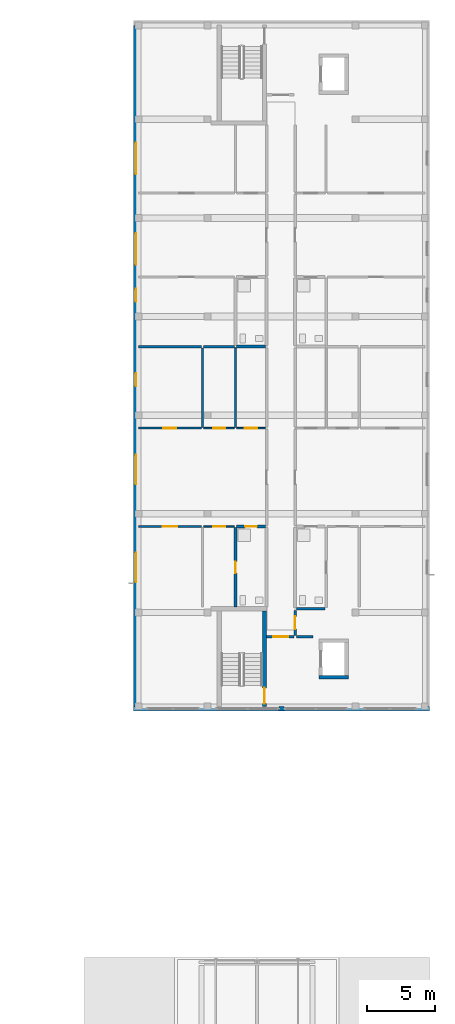
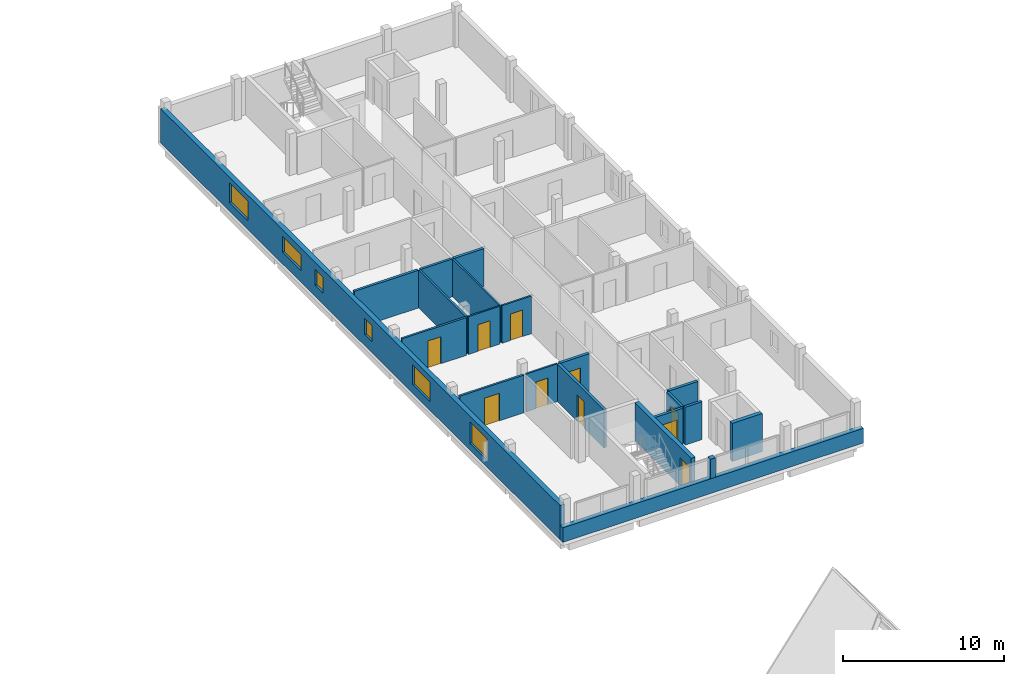
# One storey, part 16 of 29: 21 walls, 10 doors, 6 windows, 16 openings.
"""IFC4 building model written with IfcOpenShell, lengths in metres."""

from ifc_helpers import new_model, si_unit, derived_unit, direction, frame, frame_2d, origin, place, context, subcontext, project, spatial, rectangle, extrude, material, layer, layer_set, type_object, element, fill, save


model = new_model("IFC4")

# Units and contexts
model_context = context("Model", 3, precision=1e-05, world=origin(), true_north=direction((0.0, 1.0)))
body_context = subcontext(model_context, "Body", "Model", "MODEL_VIEW")
ifc_project = project(units=[si_unit("LENGTHUNIT", "METRE"), si_unit("AREAUNIT", "SQUARE_METRE"), si_unit("VOLUMEUNIT", "CUBIC_METRE"), si_unit("PLANEANGLEUNIT", "RADIAN"), si_unit("MASSUNIT", "GRAM", prefix="KILO"), derived_unit("THERMALTRANSMITTANCEUNIT", [(si_unit("MASSUNIT", "GRAM", prefix="KILO"), 1), (si_unit("TIMEUNIT", "SECOND"), -3), (si_unit("THERMODYNAMICTEMPERATUREUNIT", "KELVIN"), -1)])], contexts=[model_context])

# Site, building, storey
site_placement = place(None, origin())
site = spatial("IfcSite", under=ifc_project, at=site_placement, CompositionType="ELEMENT")
building_placement = place(site_placement, origin())
building = spatial("IfcBuilding", under=site, at=building_placement, Name="Ochrekiln Boulevard Commons", CompositionType="ELEMENT")
storey_placement = place(building_placement, frame((0.0, 0.0, 37.27490234375)))
storey = spatial("IfcBuildingStorey", under=building, at=storey_placement, Name="L11", CompositionType="ELEMENT", Elevation=37.27490234375)

# Wall, openings, windows
ifc_material_1 = material(Name="Iron-spot brown clinker brick masonry ASTM C216 Grade SW", Category="masonry")
ifc_layer_1 = layer(ifc_material_1, 0.340087890625)
ifc_layer_set_1 = layer_set([ifc_layer_1], Name="Iron-spot brown clinker brick masonry ASTM C216 Grade SW")
wall_type_1 = type_object("IfcWallType", Name="WL-EXT-IRON-340", PredefinedType="SOLIDWALL", material=ifc_layer_set_1)
wall_1_placement = place(storey_placement, frame((151.3701171875, 68.739990234375, 0.0), z_axis=(0.0, 0.0, 1.0), x_axis=(0.0, 1.0, 0.0)))
wall_1 = element("IfcWall", 1, at=wall_1_placement, inside=storey, type_object=wall_type_1, Name="Block B L11 W Exterior Wall", PredefinedType="SOLIDWALL", context=body_context, shape_type="SweptSolid", body=[
    extrude(rectangle(XDim=49.719970703125, YDim=0.340087890625, at=frame_2d((24.85986328125, 0.0))), origin(), (0.0, 0.0, 1.0), 2.60009765625),
])
opening_1_placement = place(wall_1_placement, frame((16.20703125, 0.0, 0.6650390625)))
opening_1 = element("IfcOpeningElement", 2, at=opening_1_placement, cuts=wall_1, Name="Opening W-53", PredefinedType="OPENING", context=body_context, shape_type="SweptSolid", body=[
    extrude(rectangle(XDim=2.14990234375, YDim=1.5, at=frame_2d((1.074951171875, 0.75))), frame((0.0, 0.179931640625, 0.0), z_axis=(0.0, -1.0, 0.0), x_axis=(1.0, 0.0, 0.0)), (0.0, 0.0, 1.0), 0.360107421875),
])
opening_2_placement = place(wall_1_placement, frame((9.077880859375, 0.0, 0.514892578125)))
opening_2 = element("IfcOpeningElement", 3, at=opening_2_placement, cuts=wall_1, Name="Opening W-54", PredefinedType="OPENING", context=body_context, shape_type="SweptSolid", body=[
    extrude(rectangle(XDim=2.14990234375, YDim=1.64990234375, at=frame_2d((1.074951171875, 0.824951171875))), frame((0.0, 0.179931640625, 0.0), z_axis=(0.0, -1.0, 0.0), x_axis=(1.0, 0.0, 0.0)), (0.0, 0.0, 1.0), 0.360107421875),
])
opening_3_placement = place(wall_1_placement, frame((23.37890625, 0.0, 0.85009765625)))
opening_3 = element("IfcOpeningElement", 4, at=opening_3_placement, cuts=wall_1, Name="Opening W-01", PredefinedType="OPENING", context=body_context, shape_type="SweptSolid", body=[
    extrude(rectangle(XDim=0.949951171875, YDim=1.199951171875, at=frame_2d((0.47509765625, 0.60009765625))), frame((0.0, 0.179931640625, 0.0), z_axis=(0.0, -1.0, 0.0), x_axis=(1.0, 0.0, 0.0)), (0.0, 0.0, 1.0), 0.360107421875),
])
opening_4_placement = place(wall_1_placement, frame((32.260009765625, 0.0, 0.89990234375)))
opening_4 = element("IfcOpeningElement", 5, at=opening_4_placement, cuts=wall_1, Name="Opening W-56", PredefinedType="OPENING", context=body_context, shape_type="SweptSolid", body=[
    extrude(rectangle(XDim=2.300048828125, YDim=1.199951171875, at=frame_2d((1.14990234375, 0.60009765625))), frame((0.0, 0.179931640625, 0.0), z_axis=(0.0, -1.0, 0.0), x_axis=(1.0, 0.0, 0.0)), (0.0, 0.0, 1.0), 0.360107421875),
])
opening_5_placement = place(wall_1_placement, frame((29.52490234375, 0.0, 0.85009765625)))
opening_5 = element("IfcOpeningElement", 6, at=opening_5_placement, cuts=wall_1, Name="Opening W-01", PredefinedType="OPENING", context=body_context, shape_type="SweptSolid", body=[
    extrude(rectangle(XDim=0.949951171875, YDim=1.199951171875, at=frame_2d((0.47509765625, 0.60009765625))), frame((0.0, 0.179931640625, 0.0), z_axis=(0.0, -1.0, 0.0), x_axis=(1.0, 0.0, 0.0)), (0.0, 0.0, 1.0), 0.360107421875),
])
opening_6_placement = place(wall_1_placement, frame((38.85400390625, 0.0, 0.6650390625)))
opening_6 = element("IfcOpeningElement", 7, at=opening_6_placement, cuts=wall_1, Name="Opening W-58", PredefinedType="OPENING", context=body_context, shape_type="SweptSolid", body=[
    extrude(rectangle(XDim=2.300048828125, YDim=1.5, at=frame_2d((1.14990234375, 0.75))), frame((0.0, 0.179931640625, 0.0), z_axis=(0.0, -1.0, 0.0), x_axis=(1.0, 0.0, 0.0)), (0.0, 0.0, 1.0), 0.360107421875),
])
ifc_material_2 = material(Name="Thermally broken aluminium-clad oak frame", Category="aluminium")
window_type_1 = type_object("IfcWindowType", Name="WIN-EXT-01", PartitioningType="SINGLE_PANEL", PredefinedType="WINDOW", material=ifc_material_2)
window_1_placement = place(opening_3_placement, origin())
window_1 = element("IfcWindow", 8, at=window_1_placement, inside=storey, type_object=window_type_1, Name="Block B L11 Punched Masonry Window W-01", OverallHeight=1.199951171875, OverallWidth=0.949951171875, PartitioningType="SINGLE_PANEL", PredefinedType="WINDOW", context=body_context, shape_type="SweptSolid", body=[
    extrude(rectangle(XDim=0.949951171875, YDim=1.199951171875, at=frame_2d((0.47509765625, 0.60009765625))), frame((0.0, 0.030029296875, 0.0), z_axis=(0.0, -1.0, 0.0), x_axis=(1.0, 0.0, 0.0)), (0.0, 0.0, 1.0), 0.06005859375),
])
fill(opening_3, window_1)
window_2_placement = place(opening_5_placement, origin())
window_2 = element("IfcWindow", 9, at=window_2_placement, inside=storey, type_object=window_type_1, Name="Block B L11 Punched Masonry Window W-01", OverallHeight=1.199951171875, OverallWidth=0.949951171875, PartitioningType="SINGLE_PANEL", PredefinedType="WINDOW", context=body_context, shape_type="SweptSolid", body=[
    extrude(rectangle(XDim=0.949951171875, YDim=1.199951171875, at=frame_2d((0.47509765625, 0.60009765625))), frame((0.0, 0.030029296875, 0.0), z_axis=(0.0, -1.0, 0.0), x_axis=(1.0, 0.0, 0.0)), (0.0, 0.0, 1.0), 0.06005859375),
])
fill(opening_5, window_2)
window_type_2 = type_object("IfcWindowType", Name="WIN-EXT-53", PartitioningType="DOUBLE_PANEL_VERTICAL", PredefinedType="WINDOW", material=ifc_material_2)
window_3_placement = place(opening_1_placement, origin())
window_3 = element("IfcWindow", 10, at=window_3_placement, inside=storey, type_object=window_type_2, Name="Block B L11 Punched Masonry Window W-53", OverallHeight=1.5, OverallWidth=2.14990234375, PartitioningType="DOUBLE_PANEL_VERTICAL", PredefinedType="WINDOW", context=body_context, shape_type="SweptSolid", body=[
    extrude(rectangle(XDim=2.14990234375, YDim=1.5, at=frame_2d((1.074951171875, 0.75))), frame((0.0, 0.030029296875, 0.0), z_axis=(0.0, -1.0, 0.0), x_axis=(1.0, 0.0, 0.0)), (0.0, 0.0, 1.0), 0.06005859375),
])
fill(opening_1, window_3)
window_type_3 = type_object("IfcWindowType", Name="WIN-EXT-54", PartitioningType="DOUBLE_PANEL_VERTICAL", PredefinedType="WINDOW", material=ifc_material_2)
window_4_placement = place(opening_2_placement, origin())
window_4 = element("IfcWindow", 11, at=window_4_placement, inside=storey, type_object=window_type_3, Name="Block B L11 Punched Masonry Window W-54", OverallHeight=1.64990234375, OverallWidth=2.14990234375, PartitioningType="DOUBLE_PANEL_VERTICAL", PredefinedType="WINDOW", context=body_context, shape_type="SweptSolid", body=[
    extrude(rectangle(XDim=2.14990234375, YDim=1.64990234375, at=frame_2d((1.074951171875, 0.824951171875))), frame((0.0, 0.030029296875, 0.0), z_axis=(0.0, -1.0, 0.0), x_axis=(1.0, 0.0, 0.0)), (0.0, 0.0, 1.0), 0.06005859375),
])
fill(opening_2, window_4)
window_type_4 = type_object("IfcWindowType", Name="WIN-EXT-56", PartitioningType="DOUBLE_PANEL_VERTICAL", PredefinedType="WINDOW", material=ifc_material_2)
window_5_placement = place(opening_4_placement, origin())
window_5 = element("IfcWindow", 12, at=window_5_placement, inside=storey, type_object=window_type_4, Name="Block B L11 Punched Masonry Window W-56", OverallHeight=1.199951171875, OverallWidth=2.300048828125, PartitioningType="DOUBLE_PANEL_VERTICAL", PredefinedType="WINDOW", context=body_context, shape_type="SweptSolid", body=[
    extrude(rectangle(XDim=2.300048828125, YDim=1.199951171875, at=frame_2d((1.14990234375, 0.60009765625))), frame((0.0, 0.030029296875, 0.0), z_axis=(0.0, -1.0, 0.0), x_axis=(1.0, 0.0, 0.0)), (0.0, 0.0, 1.0), 0.06005859375),
])
fill(opening_4, window_5)
window_type_5 = type_object("IfcWindowType", Name="WIN-EXT-58", PartitioningType="DOUBLE_PANEL_VERTICAL", PredefinedType="WINDOW", material=ifc_material_2)
window_6_placement = place(opening_6_placement, origin())
window_6 = element("IfcWindow", 13, at=window_6_placement, inside=storey, type_object=window_type_5, Name="Block B L11 Punched Masonry Window W-58", OverallHeight=1.5, OverallWidth=2.300048828125, PartitioningType="DOUBLE_PANEL_VERTICAL", PredefinedType="WINDOW", context=body_context, shape_type="SweptSolid", body=[
    extrude(rectangle(XDim=2.300048828125, YDim=1.5, at=frame_2d((1.14990234375, 0.75))), frame((0.0, 0.030029296875, 0.0), z_axis=(0.0, -1.0, 0.0), x_axis=(1.0, 0.0, 0.0)), (0.0, 0.0, 1.0), 0.06005859375),
])
fill(opening_6, window_6)

# Walls
wall_2_placement = place(storey_placement, frame((151.199951171875, 68.570068359375, 0.0), z_axis=(0.0, 0.0, 1.0), x_axis=(1.0, 0.0, 0.0)))
element("IfcWall", 14, at=wall_2_placement, inside=storey, type_object=wall_type_1, Name="Block B L11 Courtyard Gable Sill Wall", PredefinedType="SOLIDWALL", context=body_context, shape_type="SweptSolid", body=[
    extrude(rectangle(XDim=21.60009765625, YDim=0.340087890625, at=frame_2d((10.800048828125, 0.0))), origin(), (0.0, 0.0, 1.0), 1.110107421875),
])
wall_3_placement = place(storey_placement, frame((161.820068359375, 68.570068359375, 1.110107421875), z_axis=(0.0, 0.0, 1.0), x_axis=(1.0, 0.0, 0.0)))
element("IfcWall", 15, at=wall_3_placement, inside=storey, type_object=wall_type_1, Name="Block B L11 Courtyard Gable Mullion Pier", PredefinedType="SOLIDWALL", context=body_context, shape_type="SweptSolid", body=[
    extrude(rectangle(XDim=0.35986328125, YDim=0.340087890625, at=frame_2d((0.179931640625, 0.0))), origin(), (0.0, 0.0, 1.0), 1.489990234375),
])
ifc_material_3 = material(Name="Moisture-resistant cementitious tile backer wall")
ifc_layer_2 = layer(ifc_material_3, 0.199951171875)
ifc_layer_set_2 = layer_set([ifc_layer_2], Name="Moisture-resistant cementitious tile backer wall")
wall_type_2 = type_object("IfcWallType", Name="WL-PLM-200", PredefinedType="PLUMBINGWALL", material=ifc_layer_set_2)
wall_4_placement = place(storey_placement, frame((163.072998046875, 75.875, 0.0), z_axis=(0.0, 0.0, 1.0), x_axis=(1.0, 0.0, 0.0)))
element("IfcWall", 16, at=wall_4_placement, inside=storey, type_object=wall_type_2, Name="L11 Interior Wall W-PW200", PredefinedType="PLUMBINGWALL", context=body_context, shape_type="SweptSolid", body=[
    extrude(rectangle(XDim=2.10693359375, YDim=0.199951171875, at=frame_2d((1.053466796875, 0.0))), origin(), (0.0, 0.0, 1.0), 2.8701171875),
])

# Wall, opening, door
wall_5_placement = place(storey_placement, frame((158.719970703125, 81.864990234375, 0.0), z_axis=(0.0, 0.0, 1.0), x_axis=(1.0, 0.0, 0.0)))
wall_5 = element("IfcWall", 17, at=wall_5_placement, inside=storey, type_object=wall_type_2, Name="L11 Interior Wall W-PW200", PredefinedType="PLUMBINGWALL", context=body_context, shape_type="SweptSolid", body=[
    extrude(rectangle(XDim=2.10693359375, YDim=0.199951171875, at=frame_2d((1.053466796875, 0.0))), origin(), (0.0, 0.0, 1.0), 2.8701171875),
])
opening_7_placement = place(wall_5_placement, frame((0.6201171875, 0.0, 0.0)))
opening_7 = element("IfcOpeningElement", 18, at=opening_7_placement, cuts=wall_5, Name="Opening D-L11-1269", PredefinedType="OPENING", context=body_context, shape_type="SweptSolid", body=[
    extrude(rectangle(XDim=0.860107421875, YDim=2.0, at=frame_2d((0.43017578125, 1.0))), frame((0.0, 0.10986328125, 0.0), z_axis=(0.0, -1.0, 0.0), x_axis=(1.0, 0.0, 0.0)), (0.0, 0.0, 1.0), 0.219970703125),
])
ifc_material_4 = material(Name="Solid core architectural oak door leaf")
door_type_1 = type_object("IfcDoorType", Name="DR-INT-BTH-086", OperationType="NOTDEFINED", PredefinedType="DOOR", material=ifc_material_4)
door_1_placement = place(opening_7_placement, frame((0.860107421875, 0.0, 0.0), z_axis=(0.0, 0.0, 1.0), x_axis=(-1.0, 0.0, 0.0)))
door_1 = element("IfcDoor", 19, at=door_1_placement, inside=storey, type_object=door_type_1, Name="L11 Interior Door to Accessible Apartment Bathroom", OperationType="SINGLE_SWING_LEFT", OverallHeight=2.0, OverallWidth=0.860107421875, PredefinedType="DOOR", context=body_context, shape_type="SweptSolid", body=[
    extrude(rectangle(XDim=0.860107421875, YDim=2.0, at=frame_2d((0.43017578125, 1.0))), frame((0.0, 0.02490234375, 0.0), z_axis=(0.0, -1.0, 0.0), x_axis=(1.0, 0.0, 0.0)), (0.0, 0.0, 1.0), 0.050048828125),
])
fill(opening_7, door_1)

wall_6_placement = place(storey_placement, frame((158.639892578125, 76.0, 0.0), z_axis=(0.0, 0.0, 1.0), x_axis=(0.0, 1.0, 0.0)))
wall_6 = element("IfcWall", 20, at=wall_6_placement, inside=storey, type_object=wall_type_2, Name="L11 Interior Wall W-PW200", PredefinedType="PLUMBINGWALL", context=body_context, shape_type="SweptSolid", body=[
    extrude(rectangle(XDim=5.804931640625, YDim=0.199951171875, at=frame_2d((2.90234375, 0.0))), origin(), (0.0, 0.0, 1.0), 2.8701171875),
])
opening_8_placement = place(wall_6_placement, frame((2.467041015625, 0.0, 0.0)))
opening_8 = element("IfcOpeningElement", 21, at=opening_8_placement, cuts=wall_6, Name="Opening D-L11-1275", PredefinedType="OPENING", context=body_context, shape_type="SweptSolid", body=[
    extrude(rectangle(XDim=0.85009765625, YDim=2.010009765625, at=frame_2d((0.425048828125, 1.0048828125))), frame((0.0, 0.10986328125, 0.0), z_axis=(0.0, -1.0, 0.0), x_axis=(1.0, 0.0, 0.0)), (0.0, 0.0, 1.0), 0.219970703125),
])
door_type_2 = type_object("IfcDoorType", Name="DR-INT-KIT-085", OperationType="NOTDEFINED", PredefinedType="DOOR", material=ifc_material_4)
door_2_placement = place(opening_8_placement, frame((0.85009765625, 0.0, 0.0), z_axis=(0.0, 0.0, 1.0), x_axis=(-1.0, 0.0, 0.0)))
door_2 = element("IfcDoor", 22, at=door_2_placement, inside=storey, type_object=door_type_2, Name="L11 Interior Door to Accessible Apartment Bathroom", OperationType="SINGLE_SWING_LEFT", OverallHeight=2.010009765625, OverallWidth=0.85009765625, PredefinedType="DOOR", context=body_context, shape_type="SweptSolid", body=[
    extrude(rectangle(XDim=0.85009765625, YDim=2.010009765625, at=frame_2d((0.425048828125, 1.0048828125))), frame((0.0, 0.02490234375, 0.0), z_axis=(0.0, -1.0, 0.0), x_axis=(1.0, 0.0, 0.0)), (0.0, 0.0, 1.0), 0.050048828125),
])
fill(opening_8, door_2)

# Wall
wall_7_placement = place(storey_placement, frame((158.699951171875, 95.008056640625, 0.0), z_axis=(0.0, 0.0, 1.0), x_axis=(1.0, 0.0, 0.0)))
element("IfcWall", 23, at=wall_7_placement, inside=storey, type_object=wall_type_2, Name="L11 Interior Wall W-PW200", PredefinedType="PLUMBINGWALL", context=body_context, shape_type="SweptSolid", body=[
    extrude(rectangle(XDim=2.126953125, YDim=0.199951171875, at=frame_2d((1.0634765625, 0.0))), origin(), (0.0, 0.0, 1.0), 2.8701171875),
])

# Wall, opening, door
ifc_material_5 = material(Name="Fire-rated Type X gypsum board on steel studs", Category="steel")
ifc_layer_3 = layer(ifc_material_5, 0.1650390625)
ifc_layer_set_3 = layer_set([ifc_layer_3], Name="Fire-rated Type X gypsum board on steel studs")
wall_type_3 = type_object("IfcWallType", Name="WL-PT-CORR-165", PredefinedType="PARTITIONING", material=ifc_layer_set_3)
wall_8_placement = place(storey_placement, frame((162.989990234375, 73.929931640625, 0.0), z_axis=(0.0, 0.0, 1.0), x_axis=(0.0, 1.0, 0.0)))
wall_8 = element("IfcWall", 24, at=wall_8_placement, inside=storey, type_object=wall_type_3, Name="L11 Interior Wall W-PC165", PredefinedType="PARTITIONING", context=body_context, shape_type="SweptSolid", body=[
    extrude(rectangle(XDim=1.820068359375, YDim=0.1650390625, at=frame_2d((0.91015625, 0.0))), origin(), (0.0, 0.0, 1.0), 2.8701171875),
])
opening_9_placement = place(wall_8_placement, frame((0.4599609375, 0.0, 0.0)))
opening_9 = element("IfcOpeningElement", 25, at=opening_9_placement, cuts=wall_8, Name="Opening D-L11-1264", PredefinedType="OPENING", context=body_context, shape_type="SweptSolid", body=[
    extrude(rectangle(XDim=0.919921875, YDim=2.0400390625, at=frame_2d((0.4599609375, 1.02001953125))), frame((0.0, 0.092529296875, 0.0), z_axis=(0.0, -1.0, 0.0), x_axis=(1.0, 0.0, 0.0)), (0.0, 0.0, 1.0), 0.18505859375),
])
ifc_material_6 = material(Name="Hollow metal fire-rated steel door assembly", Category="steel")
door_type_3 = type_object("IfcDoorType", Name="DR-SRV-90", OperationType="NOTDEFINED", PredefinedType="DOOR", material=ifc_material_6)
door_3_placement = place(opening_9_placement, frame((0.919921875, 0.0, 0.0), z_axis=(0.0, 0.0, 1.0), x_axis=(-1.0, 0.0, 0.0)))
door_3 = element("IfcDoor", 26, at=door_3_placement, inside=storey, type_object=door_type_3, Name="L11 Interior Door to Hydronic and Electrical Riser Room", OperationType="SINGLE_SWING_RIGHT", OverallHeight=2.0400390625, OverallWidth=0.919921875, PredefinedType="DOOR", context=body_context, shape_type="SweptSolid", body=[
    extrude(rectangle(XDim=0.919921875, YDim=2.0400390625, at=frame_2d((0.4599609375, 1.02001953125))), frame((0.0, 0.02490234375, 0.0), z_axis=(0.0, -1.0, 0.0), x_axis=(1.0, 0.0, 0.0)), (0.0, 0.0, 1.0), 0.050048828125),
])
fill(opening_9, door_3)

# Walls
ifc_layer_4 = layer(ifc_material_5, 0.179931640625)
ifc_layer_set_4 = layer_set([ifc_layer_4], Name="Fire-rated Type X gypsum board on steel studs")
wall_type_4 = type_object("IfcWallType", Name="WL-PT-DEM-180", PredefinedType="PARTITIONING", material=ifc_layer_set_4)
wall_9_placement = place(storey_placement, frame((151.5400390625, 95.008056640625, 0.0), z_axis=(0.0, 0.0, 1.0), x_axis=(1.0, 0.0, 0.0)))
element("IfcWall", 27, at=wall_9_placement, inside=storey, type_object=wall_type_4, Name="L11 Interior Wall W-PD180", PredefinedType="PARTITIONING", context=body_context, shape_type="SweptSolid", body=[
    extrude(rectangle(XDim=4.60986328125, YDim=0.179931640625, at=frame_2d((2.304931640625, 0.0))), origin(), (0.0, 0.0, 1.0), 2.8701171875),
])
wall_10_placement = place(storey_placement, frame((156.304931640625, 95.008056640625, 0.0), z_axis=(0.0, 0.0, 1.0), x_axis=(1.0, 0.0, 0.0)))
element("IfcWall", 28, at=wall_10_placement, inside=storey, type_object=wall_type_4, Name="L11 Interior Wall W-PD180", PredefinedType="PARTITIONING", context=body_context, shape_type="SweptSolid", body=[
    extrude(rectangle(XDim=2.275146484375, YDim=0.179931640625, at=frame_2d((1.1376953125, 0.0))), origin(), (0.0, 0.0, 1.0), 2.8701171875),
])
ifc_layer_5 = layer(ifc_material_5, 0.18994140625)
ifc_layer_set_5 = layer_set([ifc_layer_5], Name="Fire-rated Type X gypsum board on steel studs")
wall_type_5 = type_object("IfcWallType", Name="WL-PT-LBY-190", PredefinedType="PARTITIONING", material=ifc_layer_set_5)
wall_11_placement = place(storey_placement, frame((163.080078125, 73.8349609375, 0.0), z_axis=(0.0, 0.0, 1.0), x_axis=(1.0, 0.0, 0.0)))
element("IfcWall", 29, at=wall_11_placement, inside=storey, type_object=wall_type_5, Name="L11 Interior Wall W-PL190", PredefinedType="PARTITIONING", context=body_context, shape_type="SweptSolid", body=[
    extrude(rectangle(XDim=1.219970703125, YDim=0.18994140625, at=frame_2d((0.60986328125, 0.0))), origin(), (0.0, 0.0, 1.0), 2.8701171875),
])

# Wall, opening, door
wall_12_placement = place(storey_placement, frame((160.89990234375, 73.820068359375, 0.0), z_axis=(0.0, 0.0, 1.0), x_axis=(1.0, 0.0, 0.0)))
wall_12 = element("IfcWall", 30, at=wall_12_placement, inside=storey, type_object=wall_type_5, Name="L11 Interior Wall W-PL190", PredefinedType="PARTITIONING", context=body_context, shape_type="SweptSolid", body=[
    extrude(rectangle(XDim=2.0, YDim=0.18994140625, at=frame_2d((1.0, 0.0))), origin(), (0.0, 0.0, 1.0), 2.8701171875),
])
opening_10_placement = place(wall_12_placement, frame((0.5, 0.0, 0.0)))
opening_10 = element("IfcOpeningElement", 31, at=opening_10_placement, cuts=wall_12, Name="Opening D-L11-1262", PredefinedType="OPENING", context=body_context, shape_type="SweptSolid", body=[
    extrude(rectangle(XDim=1.10009765625, YDim=2.1201171875, at=frame_2d((0.550048828125, 1.06005859375))), frame((0.0, 0.10498046875, 0.0), z_axis=(0.0, -1.0, 0.0), x_axis=(1.0, 0.0, 0.0)), (0.0, 0.0, 1.0), 0.2099609375),
])
door_type_4 = type_object("IfcDoorType", Name="DR-LOBBY-60", OperationType="NOTDEFINED", PredefinedType="DOOR", material=ifc_material_6)
door_4_placement = place(opening_10_placement, frame((1.10009765625, 0.0, 0.0), z_axis=(0.0, 0.0, 1.0), x_axis=(-1.0, 0.0, 0.0)))
door_4 = element("IfcDoor", 32, at=door_4_placement, inside=storey, type_object=door_type_4, Name="L11 Interior Door to Fire Service Access Elevator Lobby", OperationType="SINGLE_SWING_RIGHT", OverallHeight=2.1201171875, OverallWidth=1.10009765625, PredefinedType="DOOR", context=body_context, shape_type="SweptSolid", body=[
    extrude(rectangle(XDim=1.10009765625, YDim=2.1201171875, at=frame_2d((0.550048828125, 1.06005859375))), frame((0.0, 0.02490234375, 0.0), z_axis=(0.0, -1.0, 0.0), x_axis=(1.0, 0.0, 0.0)), (0.0, 0.0, 1.0), 0.050048828125),
])
fill(opening_10, door_4)

ifc_layer_6 = layer(ifc_material_5, 0.1201171875)
ifc_layer_set_6 = layer_set([ifc_layer_6], Name="Fire-rated Type X gypsum board on steel studs")
wall_type_6 = type_object("IfcWallType", Name="WL-PT-LGT-120", PredefinedType="PARTITIONING", material=ifc_layer_set_6)
wall_13_placement = place(storey_placement, frame((158.719970703125, 89.052978515625, 0.0), z_axis=(0.0, 0.0, 1.0), x_axis=(1.0, 0.0, 0.0)))
wall_13 = element("IfcWall", 33, at=wall_13_placement, inside=storey, type_object=wall_type_6, Name="L11 Interior Wall W-PL120", PredefinedType="PARTITIONING", context=body_context, shape_type="SweptSolid", body=[
    extrude(rectangle(XDim=2.10693359375, YDim=0.1201171875, at=frame_2d((1.053466796875, 0.0))), origin(), (0.0, 0.0, 1.0), 2.8701171875),
])
opening_11_placement = place(wall_13_placement, frame((0.610107421875, 0.0, 0.0)))
opening_11 = element("IfcOpeningElement", 34, at=opening_11_placement, cuts=wall_13, Name="Opening D-L11-1270", PredefinedType="OPENING", context=body_context, shape_type="SweptSolid", body=[
    extrude(rectangle(XDim=0.8798828125, YDim=2.02001953125, at=frame_2d((0.43994140625, 1.010009765625))), frame((0.0, 0.070068359375, 0.0), z_axis=(0.0, -1.0, 0.0), x_axis=(1.0, 0.0, 0.0)), (0.0, 0.0, 1.0), 0.14013671875),
])
door_type_5 = type_object("IfcDoorType", Name="DR-INT-KIT-088", OperationType="NOTDEFINED", PredefinedType="DOOR", material=ifc_material_4)
door_5_placement = place(opening_11_placement, origin())
door_5 = element("IfcDoor", 35, at=door_5_placement, inside=storey, type_object=door_type_5, Name="L11 Interior Door to Apartment Kitchen", OperationType="SINGLE_SWING_RIGHT", OverallHeight=2.02001953125, OverallWidth=0.8798828125, PredefinedType="DOOR", context=body_context, shape_type="SweptSolid", body=[
    extrude(rectangle(XDim=0.8798828125, YDim=2.02001953125, at=frame_2d((0.43994140625, 1.010009765625))), frame((0.0, 0.02490234375, 0.0), z_axis=(0.0, -1.0, 0.0), x_axis=(1.0, 0.0, 0.0)), (0.0, 0.0, 1.0), 0.050048828125),
])
fill(opening_11, door_5)

wall_14_placement = place(storey_placement, frame((156.31005859375, 81.864990234375, 0.0), z_axis=(0.0, 0.0, 1.0), x_axis=(1.0, 0.0, 0.0)))
wall_14 = element("IfcWall", 36, at=wall_14_placement, inside=storey, type_object=wall_type_6, Name="L11 Interior Wall W-PL120", PredefinedType="PARTITIONING", context=body_context, shape_type="SweptSolid", body=[
    extrude(rectangle(XDim=2.25, YDim=0.1201171875, at=frame_2d((1.125, 0.0))), origin(), (0.0, 0.0, 1.0), 2.8701171875),
])
opening_12_placement = place(wall_14_placement, frame((0.68505859375, 0.0, 0.0)))
opening_12 = element("IfcOpeningElement", 37, at=opening_12_placement, cuts=wall_14, Name="Opening D-L11-1272", PredefinedType="OPENING", context=body_context, shape_type="SweptSolid", body=[
    extrude(rectangle(XDim=0.8798828125, YDim=2.02001953125, at=frame_2d((0.43994140625, 1.010009765625))), frame((0.0, 0.070068359375, 0.0), z_axis=(0.0, -1.0, 0.0), x_axis=(1.0, 0.0, 0.0)), (0.0, 0.0, 1.0), 0.14013671875),
])
door_6_placement = place(opening_12_placement, frame((0.8798828125, 0.0, 0.0), z_axis=(0.0, 0.0, 1.0), x_axis=(-1.0, 0.0, 0.0)))
door_6 = element("IfcDoor", 38, at=door_6_placement, inside=storey, type_object=door_type_5, Name="L11 Interior Door to Apartment Walk-In Wardrobe", OperationType="SINGLE_SWING_RIGHT", OverallHeight=2.02001953125, OverallWidth=0.8798828125, PredefinedType="DOOR", context=body_context, shape_type="SweptSolid", body=[
    extrude(rectangle(XDim=0.8798828125, YDim=2.02001953125, at=frame_2d((0.43994140625, 1.010009765625))), frame((0.0, 0.02490234375, 0.0), z_axis=(0.0, -1.0, 0.0), x_axis=(1.0, 0.0, 0.0)), (0.0, 0.0, 1.0), 0.050048828125),
])
fill(opening_12, door_6)

wall_15_placement = place(storey_placement, frame((156.31005859375, 89.052978515625, 0.0), z_axis=(0.0, 0.0, 1.0), x_axis=(1.0, 0.0, 0.0)))
wall_15 = element("IfcWall", 39, at=wall_15_placement, inside=storey, type_object=wall_type_6, Name="L11 Interior Wall W-PL120", PredefinedType="PARTITIONING", context=body_context, shape_type="SweptSolid", body=[
    extrude(rectangle(XDim=2.25, YDim=0.1201171875, at=frame_2d((1.125, 0.0))), origin(), (0.0, 0.0, 1.0), 2.8701171875),
])
opening_13_placement = place(wall_15_placement, frame((0.68505859375, 0.0, 0.0)))
opening_13 = element("IfcOpeningElement", 40, at=opening_13_placement, cuts=wall_15, Name="Opening D-L11-1274", PredefinedType="OPENING", context=body_context, shape_type="SweptSolid", body=[
    extrude(rectangle(XDim=0.8798828125, YDim=2.02001953125, at=frame_2d((0.43994140625, 1.010009765625))), frame((0.0, 0.070068359375, 0.0), z_axis=(0.0, -1.0, 0.0), x_axis=(1.0, 0.0, 0.0)), (0.0, 0.0, 1.0), 0.14013671875),
])
door_7_placement = place(opening_13_placement, origin())
door_7 = element("IfcDoor", 41, at=door_7_placement, inside=storey, type_object=door_type_5, Name="L11 Interior Door to Apartment Walk-In Wardrobe", OperationType="SINGLE_SWING_RIGHT", OverallHeight=2.02001953125, OverallWidth=0.8798828125, PredefinedType="DOOR", context=body_context, shape_type="SweptSolid", body=[
    extrude(rectangle(XDim=0.8798828125, YDim=2.02001953125, at=frame_2d((0.43994140625, 1.010009765625))), frame((0.0, 0.02490234375, 0.0), z_axis=(0.0, -1.0, 0.0), x_axis=(1.0, 0.0, 0.0)), (0.0, 0.0, 1.0), 0.050048828125),
])
fill(opening_13, door_7)

# Wall
wall_16_placement = place(storey_placement, frame((158.639892578125, 89.113037109375, 0.0), z_axis=(0.0, 0.0, 1.0), x_axis=(0.0, 1.0, 0.0)))
element("IfcWall", 42, at=wall_16_placement, inside=storey, type_object=wall_type_6, Name="L11 Interior Wall W-PL120", PredefinedType="PARTITIONING", context=body_context, shape_type="SweptSolid", body=[
    extrude(rectangle(XDim=5.804931640625, YDim=0.1201171875, at=frame_2d((2.90234375, 0.0))), origin(), (0.0, 0.0, 1.0), 2.8701171875),
])

# Wall, opening, door
ifc_layer_7 = layer(ifc_material_5, 0.14990234375)
ifc_layer_set_7 = layer_set([ifc_layer_7], Name="Fire-rated Type X gypsum board on steel studs")
wall_type_7 = type_object("IfcWallType", Name="WL-PT-STD-150", PredefinedType="PARTITIONING", material=ifc_layer_set_7)
wall_17_placement = place(storey_placement, frame((151.5400390625, 81.864990234375, 0.0), z_axis=(0.0, 0.0, 1.0), x_axis=(1.0, 0.0, 0.0)))
wall_17 = element("IfcWall", 43, at=wall_17_placement, inside=storey, type_object=wall_type_7, Name="L11 Interior Wall W-PS150", PredefinedType="PARTITIONING", context=body_context, shape_type="SweptSolid", body=[
    extrude(rectangle(XDim=4.60986328125, YDim=0.14990234375, at=frame_2d((2.304931640625, 0.0))), origin(), (0.0, 0.0, 1.0), 2.8701171875),
])
opening_14_placement = place(wall_17_placement, frame((1.77001953125, 0.0, 0.0)))
opening_14 = element("IfcOpeningElement", 44, at=opening_14_placement, cuts=wall_17, Name="Opening D-L11-1271", PredefinedType="OPENING", context=body_context, shape_type="SweptSolid", body=[
    extrude(rectangle(XDim=1.080078125, YDim=2.10009765625, at=frame_2d((0.5400390625, 1.050048828125))), frame((0.0, 0.0849609375, 0.0), z_axis=(0.0, -1.0, 0.0), x_axis=(1.0, 0.0, 0.0)), (0.0, 0.0, 1.0), 0.169921875),
])
door_type_6 = type_object("IfcDoorType", Name="DR-INT-BED-108", OperationType="NOTDEFINED", PredefinedType="DOOR", material=ifc_material_4)
door_8_placement = place(opening_14_placement, frame((1.080078125, 0.0, 0.0), z_axis=(0.0, 0.0, 1.0), x_axis=(-1.0, 0.0, 0.0)))
door_8 = element("IfcDoor", 45, at=door_8_placement, inside=storey, type_object=door_type_6, Name="L11 Interior Door to Primary Apartment Bedroom", OperationType="SINGLE_SWING_LEFT", OverallHeight=2.10009765625, OverallWidth=1.080078125, PredefinedType="DOOR", context=body_context, shape_type="SweptSolid", body=[
    extrude(rectangle(XDim=1.080078125, YDim=2.10009765625, at=frame_2d((0.5400390625, 1.050048828125))), frame((0.0, 0.02490234375, 0.0), z_axis=(0.0, -1.0, 0.0), x_axis=(1.0, 0.0, 0.0)), (0.0, 0.0, 1.0), 0.050048828125),
])
fill(opening_14, door_8)

wall_18_placement = place(storey_placement, frame((151.5400390625, 89.052978515625, 0.0), z_axis=(0.0, 0.0, 1.0), x_axis=(1.0, 0.0, 0.0)))
wall_18 = element("IfcWall", 46, at=wall_18_placement, inside=storey, type_object=wall_type_7, Name="L11 Interior Wall W-PS150", PredefinedType="PARTITIONING", context=body_context, shape_type="SweptSolid", body=[
    extrude(rectangle(XDim=4.60986328125, YDim=0.14990234375, at=frame_2d((2.304931640625, 0.0))), origin(), (0.0, 0.0, 1.0), 2.8701171875),
])
opening_15_placement = place(wall_18_placement, frame((1.840087890625, 0.0, 0.0)))
opening_15 = element("IfcOpeningElement", 47, at=opening_15_placement, cuts=wall_18, Name="Opening D-L11-1273", PredefinedType="OPENING", context=body_context, shape_type="SweptSolid", body=[
    extrude(rectangle(XDim=0.93994140625, YDim=2.06005859375, at=frame_2d((0.469970703125, 1.030029296875))), frame((0.0, 0.0849609375, 0.0), z_axis=(0.0, -1.0, 0.0), x_axis=(1.0, 0.0, 0.0)), (0.0, 0.0, 1.0), 0.169921875),
])
door_type_7 = type_object("IfcDoorType", Name="DR-INT-BED-094", OperationType="NOTDEFINED", PredefinedType="DOOR", material=ifc_material_4)
door_9_placement = place(opening_15_placement, origin())
door_9 = element("IfcDoor", 48, at=door_9_placement, inside=storey, type_object=door_type_7, Name="L11 Interior Door to Secondary Apartment Bedroom", OperationType="SINGLE_SWING_LEFT", OverallHeight=2.06005859375, OverallWidth=0.93994140625, PredefinedType="DOOR", context=body_context, shape_type="SweptSolid", body=[
    extrude(rectangle(XDim=0.93994140625, YDim=2.06005859375, at=frame_2d((0.469970703125, 1.030029296875))), frame((0.0, 0.02490234375, 0.0), z_axis=(0.0, -1.0, 0.0), x_axis=(1.0, 0.0, 0.0)), (0.0, 0.0, 1.0), 0.050048828125),
])
fill(opening_15, door_9)

# Walls
wall_19_placement = place(storey_placement, frame((156.22998046875, 89.113037109375, 0.0), z_axis=(0.0, 0.0, 1.0), x_axis=(0.0, 1.0, 0.0)))
element("IfcWall", 49, at=wall_19_placement, inside=storey, type_object=wall_type_7, Name="L11 Interior Wall W-PS150", PredefinedType="PARTITIONING", context=body_context, shape_type="SweptSolid", body=[
    extrude(rectangle(XDim=5.804931640625, YDim=0.14990234375, at=frame_2d((2.90234375, 0.0))), origin(), (0.0, 0.0, 1.0), 2.8701171875),
])
ifc_material_7 = material(Name="Concrete C40/50", Category="concrete")
ifc_layer_8 = layer(ifc_material_7, 0.27490234375)
ifc_layer_set_8 = layer_set([ifc_layer_8], Name="Concrete C40/50")
wall_type_8 = type_object("IfcWallType", Name="WL-SH-275", PredefinedType="SHEAR", material=ifc_layer_set_8)
wall_20_placement = place(storey_placement, frame((164.72509765625, 70.862548828125, 0.0), z_axis=(0.0, 0.0, 1.0), x_axis=(1.0, 0.0, 0.0)))
element("IfcWall", 50, at=wall_20_placement, inside=storey, type_object=wall_type_8, Name="Elevator FF-B1 L11 Hoistway Shear Wall", PredefinedType="SHEAR", context=body_context, shape_type="SweptSolid", body=[
    extrude(rectangle(XDim=2.14990234375, YDim=0.27490234375, at=frame_2d((1.074951171875, 0.0))), origin(), (0.0, 0.0, 1.0), 2.900146484375),
])

# Wall, opening, door
ifc_layer_9 = layer(ifc_material_7, 0.300048828125)
ifc_layer_set_9 = layer_set([ifc_layer_9], Name="Concrete C40/50")
wall_type_9 = type_object("IfcWallType", Name="WL-SH-300", PredefinedType="SHEAR", material=ifc_layer_set_9)
wall_21_placement = place(storey_placement, frame((160.75, 68.719970703125, 0.0), z_axis=(0.0, 0.0, 1.0), x_axis=(0.0, 1.0, 0.0)))
wall_21 = element("IfcWall", 51, at=wall_21_placement, inside=storey, type_object=wall_type_9, Name="Stair ST-B1 L11 Core Shear Wall E", PredefinedType="SHEAR", context=body_context, shape_type="SweptSolid", body=[
    extrude(rectangle(XDim=7.0, YDim=0.300048828125, at=frame_2d((3.5, 0.0))), origin(), (0.0, 0.0, 1.0), 2.900146484375),
])
opening_16_placement = place(wall_21_placement, frame((0.22509765625, 0.0, 0.0)))
opening_16 = element("IfcOpeningElement", 52, at=opening_16_placement, cuts=wall_21, Name="Opening D-L11-ST-B1", PredefinedType="OPENING", context=body_context, shape_type="SweptSolid", body=[
    extrude(rectangle(XDim=1.14990234375, YDim=2.1201171875, at=frame_2d((0.574951171875, 1.06005859375))), frame((0.0, 0.159912109375, 0.0), z_axis=(0.0, -1.0, 0.0), x_axis=(1.0, 0.0, 0.0)), (0.0, 0.0, 1.0), 0.320068359375),
])
door_type_8 = type_object("IfcDoorType", Name="DR-STAIR-90", OperationType="NOTDEFINED", PredefinedType="DOOR", material=ifc_material_6)
door_10_placement = place(opening_16_placement, origin())
door_10 = element("IfcDoor", 53, at=door_10_placement, inside=storey, type_object=door_type_8, Name="Enclosed Exit Stair ST-B1 L11 Rated Door", OperationType="SINGLE_SWING_LEFT", OverallHeight=2.1201171875, OverallWidth=1.14990234375, PredefinedType="DOOR", context=body_context, shape_type="SweptSolid", body=[
    extrude(rectangle(XDim=1.14990234375, YDim=2.1201171875, at=frame_2d((0.574951171875, 1.06005859375))), frame((0.0, 0.02490234375, 0.0), z_axis=(0.0, -1.0, 0.0), x_axis=(1.0, 0.0, 0.0)), (0.0, 0.0, 1.0), 0.050048828125),
])
fill(opening_16, door_10)

save(model, "model.ifc")
